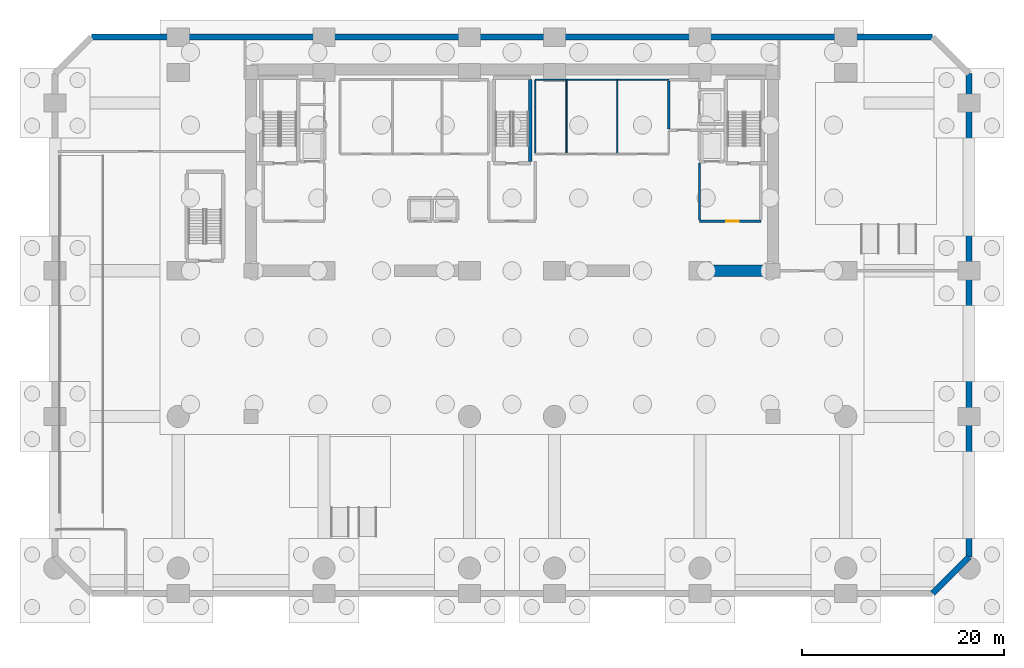
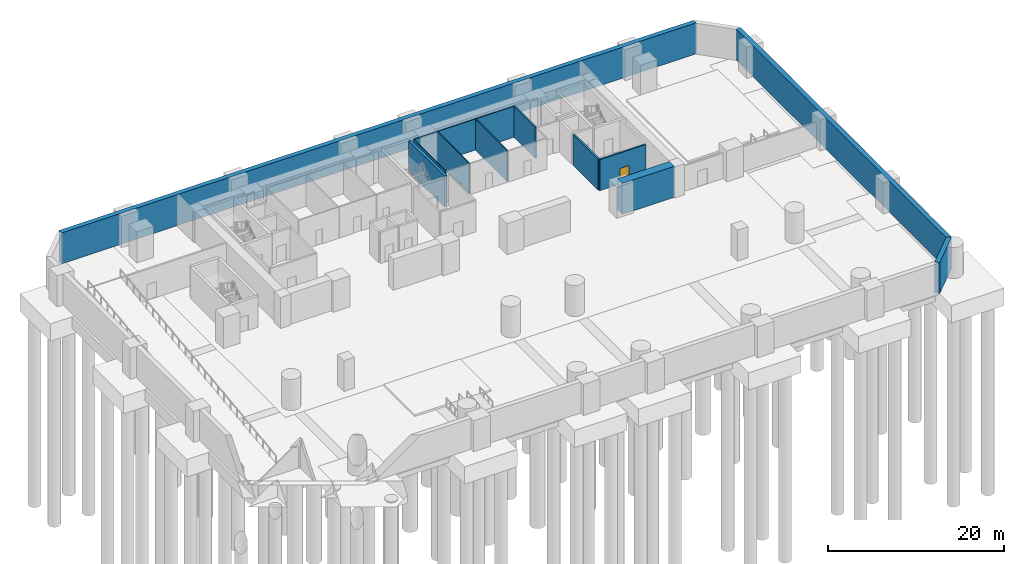
# One storey, part 5 of 10: 14 walls, 1 door, 1 opening.
"""IFC4 building model written with IfcOpenShell, lengths in metres."""

from ifc_helpers import new_model, si_unit, direction, frame, frame_2d, origin, place, context, subcontext, project, spatial, rectangle, extrude, material, layer, layer_set, type_object, element, fill, save


model = new_model("IFC4")

# Units and contexts
model_context = context("Model", 3, precision=1e-05, world=origin(), true_north=direction((0.0, 1.0)))
body_context = subcontext(model_context, "Body", "Model", "MODEL_VIEW")
ifc_project = project(units=[si_unit("LENGTHUNIT", "METRE"), si_unit("AREAUNIT", "SQUARE_METRE"), si_unit("VOLUMEUNIT", "CUBIC_METRE"), si_unit("PLANEANGLEUNIT", "RADIAN"), si_unit("MASSUNIT", "GRAM", prefix="KILO")], contexts=[model_context])

# Site, building, storey
site_placement = place(None, origin())
site = spatial("IfcSite", under=ifc_project, at=site_placement, CompositionType="ELEMENT")
building_placement = place(site_placement, origin())
building = spatial("IfcBuilding", under=site, at=building_placement, Name="Kaelvorn Grand Hotel", CompositionType="ELEMENT")
storey_placement = place(building_placement, frame((0.0, 0.0, -9.199951171875)))
storey = spatial("IfcBuildingStorey", under=building, at=storey_placement, Name="B02", CompositionType="ELEMENT", Elevation=-9.199951171875)

# Walls
ifc_material_1 = material(Name="Concrete C80/95", Category="concrete")
ifc_layer_1 = layer(ifc_material_1, 1.10009765625)
ifc_layer_set_1 = layer_set([ifc_layer_1], Name="Concrete C80/95")
wall_type_1 = type_object("IfcWallType", Name="WL-CORE-1100-C80", PredefinedType="SHEAR", material=ifc_layer_set_1)
wall_1_placement = place(storey_placement, frame((60.39990234375, 29.39990234375, 0.0), z_axis=(0.0, 0.0, 1.0), x_axis=(1.0, 0.0, 0.0)))
element("IfcWall", 1, at=wall_1_placement, inside=storey, type_object=wall_type_1, Name="B02 Rear-Core Coupled Shear Pier S4", PredefinedType="SHEAR", context=body_context, shape_type="SweptSolid", body=[
    extrude(rectangle(XDim=6.84521484375, YDim=1.10009765625, at=frame_2d((3.422607421875, 0.0))), origin(), (0.0, 0.0, 1.0), 4.300048828125),
])
ifc_material_2 = material(Name="Moisture-Resistant Tile & Stud Board")
ifc_layer_2 = layer(ifc_material_2, 0.125)
ifc_layer_set_2 = layer_set([ifc_layer_2], Name="Moisture-Resistant Tile & Stud Board")
wall_type_2 = type_object("IfcWallType", Name="WL-PART-125-WET", PredefinedType="PARTITIONING", material=ifc_layer_set_2)
wall_2_placement = place(storey_placement, frame((44.300048828125, 48.300048828125, 0.0), z_axis=(0.0, 0.0, 1.0), x_axis=(1.0, 0.0, 0.0)))
element("IfcWall", 2, at=wall_2_placement, inside=storey, type_object=wall_type_2, Name="B02 Accessible WC N Partition", PredefinedType="PARTITIONING", context=body_context, shape_type="SweptSolid", body=[
    extrude(rectangle(XDim=3.099853515625, YDim=0.125, at=frame_2d((1.5498046875, 0.0))), origin(), (0.0, 0.0, 1.0), 4.300048828125),
])
for number, where, z_axis, x_axis, name in (
    (3, (44.300048828125, 41.017578125, 0.0), (0.0, 0.0, 1.0), (0.0, 1.0, 0.0), "B02 Accessible WC W Partition"),
    (4, (47.39990234375, 41.017578125, 0.0), (0.0, 0.0, 1.0), (0.0, 1.0, 0.0), "B02 Accessible WC E Partition"),
):
    element("IfcWall", number, at=place(storey_placement, frame(where, z_axis=z_axis, x_axis=x_axis)), inside=storey, type_object=wall_type_2, Name=name, PredefinedType="PARTITIONING", context=body_context, shape_type="SweptSolid", body=[
        extrude(rectangle(XDim=7.21484375, YDim=0.125, at=frame_2d((3.607421875, 0.0))), origin(), (0.0, 0.0, 1.0), 4.300048828125),
    ])
wall_3_placement = place(storey_placement, frame((47.467529296875, 48.300048828125, 0.0), z_axis=(0.0, 0.0, 1.0), x_axis=(1.0, 0.0, 0.0)))
element("IfcWall", 5, at=wall_3_placement, inside=storey, type_object=wall_type_2, Name="B02 Male Staff & Guest Toilets N Partition", PredefinedType="PARTITIONING", context=body_context, shape_type="SweptSolid", body=[
    extrude(rectangle(XDim=4.932373046875, YDim=0.125, at=frame_2d((2.46630859375, 0.0))), origin(), (0.0, 0.0, 1.0), 4.300048828125),
])
wall_4_placement = place(storey_placement, frame((52.39990234375, 41.017578125, 0.0), z_axis=(0.0, 0.0, 1.0), x_axis=(0.0, 1.0, 0.0)))
element("IfcWall", 6, at=wall_4_placement, inside=storey, type_object=wall_type_2, Name="B02 Male Staff & Guest Toilets E Partition", PredefinedType="PARTITIONING", context=body_context, shape_type="SweptSolid", body=[
    extrude(rectangle(XDim=7.21484375, YDim=0.125, at=frame_2d((3.607421875, 0.0))), origin(), (0.0, 0.0, 1.0), 4.300048828125),
])
wall_5_placement = place(storey_placement, frame((52.467529296875, 48.300048828125, 0.0), z_axis=(0.0, 0.0, 1.0), x_axis=(1.0, 0.0, 0.0)))
element("IfcWall", 7, at=wall_5_placement, inside=storey, type_object=wall_type_2, Name="B02 Female Staff & Guest Toilets N Partition", PredefinedType="PARTITIONING", context=body_context, shape_type="SweptSolid", body=[
    extrude(rectangle(XDim=5.0224609375, YDim=0.125, at=frame_2d((2.51123046875, 0.0))), origin(), (0.0, 0.0, 1.0), 4.300048828125),
])

# Wall, opening, door
ifc_material_3 = material(Name="Concrete C40/50", Category="concrete")
ifc_layer_3 = layer(ifc_material_3, 0.219970703125)
ifc_layer_set_3 = layer_set([ifc_layer_3], Name="Concrete C40/50")
wall_type_3 = type_object("IfcWallType", Name="WL-PART-220-EI120", PredefinedType="PARTITIONING", material=ifc_layer_set_3)
wall_6_placement = place(storey_placement, frame((60.550048828125, 34.300048828125, 0.0), z_axis=(0.0, 0.0, 1.0), x_axis=(1.0, 0.0, 0.0)))
wall_6 = element("IfcWall", 8, at=wall_6_placement, inside=storey, type_object=wall_type_3, Name="B02 Firefighting Lift Lobby 2 S Partition", PredefinedType="PARTITIONING", context=body_context, shape_type="SweptSolid", body=[
    extrude(rectangle(XDim=6.050048828125, YDim=0.219970703125, at=frame_2d((3.02490234375, 0.0))), origin(), (0.0, 0.0, 1.0), 4.300048828125),
])
opening_placement = place(wall_6_placement, frame((2.64990234375, 0.0, 0.0)))
opening = element("IfcOpeningElement", 9, at=opening_placement, cuts=wall_6, Name="Opening DI2", PredefinedType="OPENING", context=body_context, shape_type="SweptSolid", body=[
    extrude(rectangle(XDim=1.199951171875, YDim=2.14990234375, at=frame_2d((0.60009765625, 1.074951171875))), frame((0.0, 0.1201171875, 0.0), z_axis=(0.0, -1.0, 0.0), x_axis=(1.0, 0.0, 0.0)), (0.0, 0.0, 1.0), 0.239990234375),
])
ifc_material_4 = material(Name="Timber Veneer Fire Leaf", Category="wood")
door_type = type_object("IfcDoorType", Name="DR-INT-FFLOB-1200x2150", OperationType="NOTDEFINED", PredefinedType="DOOR", material=ifc_material_4)
door_placement = place(opening_placement, origin())
door = element("IfcDoor", 10, at=door_placement, inside=storey, type_object=door_type, Name="B02 Firefighting Lift Lobby 2 Door", OperationType="SINGLE_SWING_LEFT", OverallHeight=2.14990234375, OverallWidth=1.199951171875, PredefinedType="DOOR", context=body_context, shape_type="SweptSolid", body=[
    extrude(rectangle(XDim=1.199951171875, YDim=2.14990234375, at=frame_2d((0.60009765625, 1.074951171875))), frame((0.0, 0.02490234375, 0.0), z_axis=(0.0, -1.0, 0.0), x_axis=(1.0, 0.0, 0.0)), (0.0, 0.0, 1.0), 0.050048828125),
])
fill(opening, door)

# Walls
wall_7_placement = place(storey_placement, frame((60.550048828125, 34.4150390625, 0.0), z_axis=(0.0, 0.0, 1.0), x_axis=(0.0, 1.0, 0.0)))
element("IfcWall", 11, at=wall_7_placement, inside=storey, type_object=wall_type_3, Name="B02 Firefighting Lift Lobby 2 W Partition", PredefinedType="PARTITIONING", context=body_context, shape_type="SweptSolid", body=[
    extrude(rectangle(XDim=5.639892578125, YDim=0.219970703125, at=frame_2d((2.81982421875, 0.0))), origin(), (0.0, 0.0, 1.0), 4.300048828125),
])
wall_8_placement = place(storey_placement, frame((57.5, 43.4150390625, 0.0), z_axis=(0.0, 0.0, 1.0), x_axis=(0.0, 1.0, 0.0)))
element("IfcWall", 12, at=wall_8_placement, inside=storey, type_object=wall_type_3, Name="B02 Service Lift Lobby W Partition", PredefinedType="PARTITIONING", context=body_context, shape_type="SweptSolid", body=[
    extrude(rectangle(XDim=4.77001953125, YDim=0.219970703125, at=frame_2d((2.385009765625, 0.0))), origin(), (0.0, 0.0, 1.0), 4.300048828125),
])
ifc_material_5 = material(Name="Concrete C50/60", Category="concrete")
ifc_layer_4 = layer(ifc_material_5, 0.60009765625)
ifc_layer_set_4 = layer_set([ifc_layer_4], Name="Concrete C50/60")
wall_type_4 = type_object("IfcWallType", Name="WL-RET-600-C50", PredefinedType="USERDEFINED", material=ifc_layer_set_4)
wall_9_placement = place(storey_placement, frame((83.60009765625, -2.5, 0.0), z_axis=(0.0, 0.0, 1.0), x_axis=(0.707082803744, 0.707130757816, 0.0)))
element("IfcWall", 13, at=wall_9_placement, inside=storey, type_object=wall_type_4, Name="B02 Perimeter Tanked Retaining Wall 02", ObjectType="RETAININGWALL", PredefinedType="USERDEFINED", context=body_context, shape_type="SweptSolid", body=[
    extrude(rectangle(XDim=5.091064453125, YDim=0.60009765625, at=frame_2d((2.54541015625, 0.0))), origin(), (0.0, 0.0, 1.0), 4.300048828125),
])
wall_10_placement = place(storey_placement, frame((87.199951171875, 1.10009765625, 0.0), z_axis=(0.0, 0.0, 1.0), x_axis=(0.0, 1.0, 0.0)))
element("IfcWall", 14, at=wall_10_placement, inside=storey, type_object=wall_type_4, Name="B02 Perimeter Tanked Retaining Wall 03", ObjectType="RETAININGWALL", PredefinedType="USERDEFINED", context=body_context, shape_type="SweptSolid", body=[
    extrude(rectangle(XDim=47.7998046875, YDim=0.60009765625, at=frame_2d((23.89990234375, 0.0))), origin(), (0.0, 0.0, 1.0), 4.300048828125),
])
wall_11_placement = place(storey_placement, frame((83.60009765625, 52.5, 0.0), z_axis=(0.0, 0.0, 1.0), x_axis=(-1.0, 0.0, 0.0)))
element("IfcWall", 15, at=wall_11_placement, inside=storey, type_object=wall_type_4, Name="B02 Perimeter Tanked Retaining Wall 05", ObjectType="RETAININGWALL", PredefinedType="USERDEFINED", context=body_context, shape_type="SweptSolid", body=[
    extrude(rectangle(XDim=83.2001953125, YDim=0.60009765625, at=frame_2d((41.60009765625, 0.0))), origin(), (0.0, 0.0, 1.0), 4.300048828125),
])
ifc_material_6 = material(Name="Concrete C60/75", Category="concrete")
ifc_layer_5 = layer(ifc_material_6, 0.35009765625)
ifc_layer_set_5 = layer_set([ifc_layer_5], Name="Concrete C60/75")
wall_type_5 = type_object("IfcWallType", Name="WL-SHAFT-350-C60", PredefinedType="SHEAR", material=ifc_layer_set_5)
wall_12_placement = place(storey_placement, frame((43.81494140625, 40.205078125, 0.0), z_axis=(0.0, 0.0, 1.0), x_axis=(0.0, 1.0, 0.0)))
element("IfcWall", 16, at=wall_12_placement, inside=storey, type_object=wall_type_5, Name="B02 ST2 Stair Shaft East Wall", PredefinedType="SHEAR", context=body_context, shape_type="SweptSolid", body=[
    extrude(rectangle(XDim=8.08984375, YDim=0.35009765625, at=frame_2d((4.044921875, 0.0))), origin(), (0.0, 0.0, 1.0), 4.300048828125),
])

save(model, "model.ifc")
